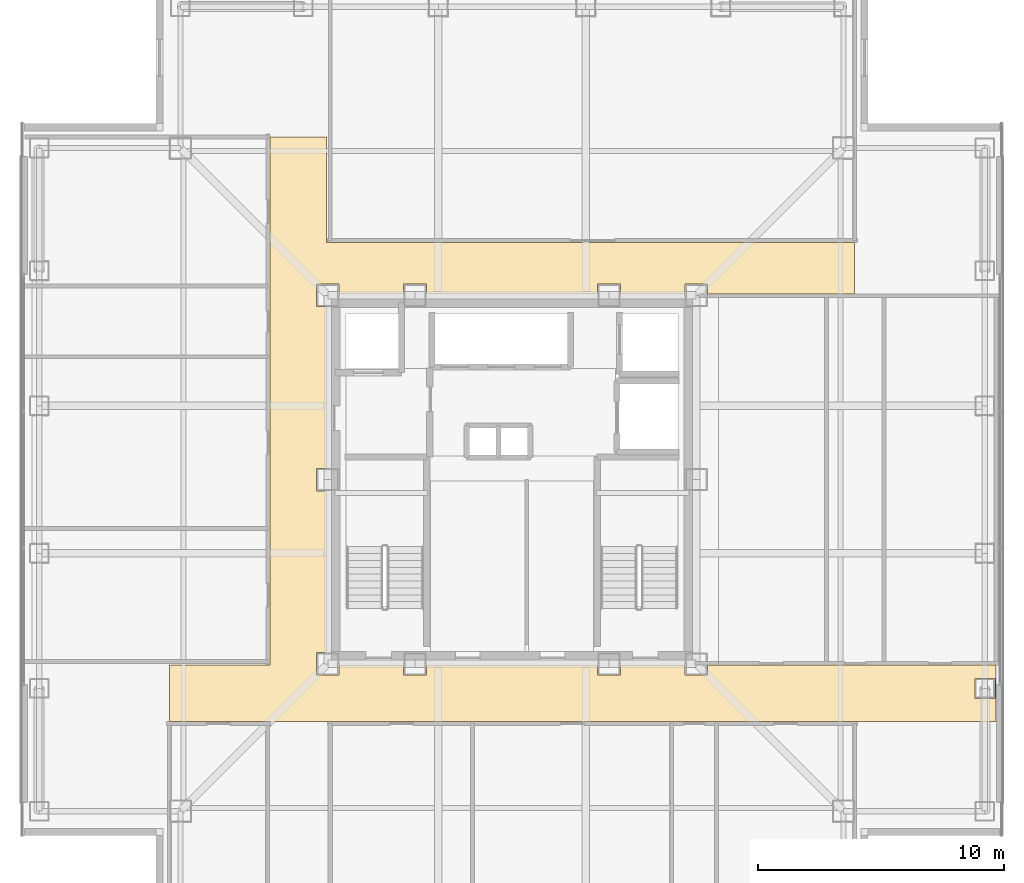
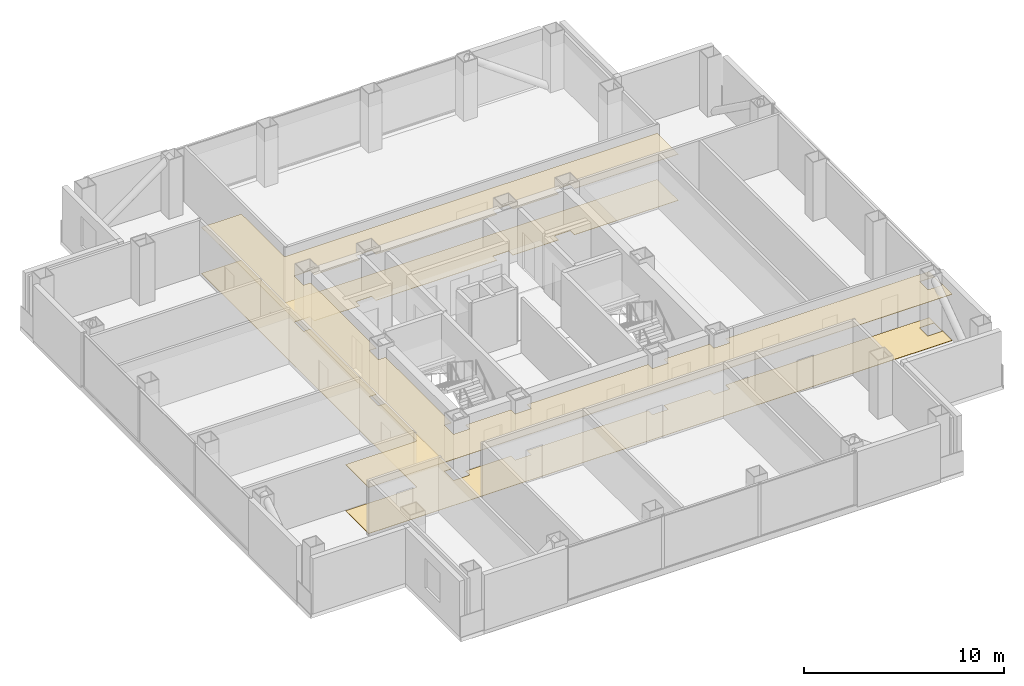
# One storey, part 15 of 17: 2 coverings.
"""IFC4 building model written with IfcOpenShell, lengths in metres."""

from ifc_helpers import new_model, si_unit, direction, frame, origin, place, context, subcontext, project, spatial, polyline, outline, extrude, material, layer, layer_set, type_object, element, save


model = new_model("IFC4")

# Units and contexts
model_context = context("Model", 3, precision=1e-05, world=origin(), true_north=direction((0.0, 1.0)))
body_context = subcontext(model_context, "Body", "Model", "MODEL_VIEW")
ifc_project = project(units=[si_unit("LENGTHUNIT", "METRE"), si_unit("AREAUNIT", "SQUARE_METRE"), si_unit("VOLUMEUNIT", "CUBIC_METRE"), si_unit("PLANEANGLEUNIT", "RADIAN"), si_unit("MASSUNIT", "GRAM", prefix="KILO")], contexts=[model_context])

# Site, building, storey
site_placement = place(None, origin())
site = spatial("IfcSite", under=ifc_project, at=site_placement, CompositionType="ELEMENT")
building_placement = place(site_placement, origin())
building = spatial("IfcBuilding", under=site, at=building_placement, Name="Trevonay Congress Spire", CompositionType="ELEMENT")
storey_placement = place(building_placement, frame((0.0, 0.0, 213.0)))
storey = spatial("IfcBuildingStorey", under=building, at=storey_placement, Name="L55", CompositionType="ELEMENT", Elevation=213.0)

# Coverings
ifc_material_1 = material(Name="Acoustic Mineral Fibre Board", Category="gypsum")
ifc_layer_1 = layer(ifc_material_1, 0.02490234375, Name="Acoustic Mineral Fibre Board")
ifc_layer_set_1 = layer_set([ifc_layer_1], Name="Acoustic Mineral Fibre Board")
covering_type_1 = type_object("IfcCoveringType", Name="COV-CEIL-ACOUSTIC", PredefinedType="CEILING", material=ifc_layer_set_1)
covering_1_placement = place(storey_placement, frame((0.0, 0.0, 2.81005859375)))
element("IfcCovering", 1, at=covering_1_placement, inside=storey, type_object=covering_type_1, Name="L55 Cruciform Boulevard Corridor acoustic suspended ceiling", PredefinedType="CEILING", context=body_context, shape_type="SweptSolid", body=[
    extrude(outline(polyline([(19.699951171875, -7.550048828125), (19.699951171875, -9.85009765625), (-13.949951171875, -9.85009765625), (-13.949951171875, -7.550048828125), (-9.85009765625, -7.550048828125), (-9.85009765625, 13.949951171875), (-7.550048828125, 13.949951171875), (-7.550048828125, 9.64990234375), (13.949951171875, 9.64990234375), (13.949951171875, 7.550048828125), (7.9599609375, 7.550048828125), (7.9599609375, 7.9599609375), (7.0400390625, 7.9599609375), (7.0400390625, 7.550048828125), (4.409912109375, 7.550048828125), (4.409912109375, 7.9599609375), (3.489990234375, 7.9599609375), (3.489990234375, 7.550048828125), (-3.489990234375, 7.550048828125), (-3.489990234375, 7.9599609375), (-4.409912109375, 7.9599609375), (-4.409912109375, 7.550048828125), (-7.0400390625, 7.550048828125), (-7.0400390625, 7.9599609375), (-7.9599609375, 7.9599609375), (-7.9599609375, 7.0400390625), (-7.550048828125, 7.0400390625), (-7.550048828125, 0.4599609375), (-7.9599609375, 0.4599609375), (-7.9599609375, -0.4599609375), (-7.550048828125, -0.4599609375), (-7.550048828125, -7.0400390625), (-7.9599609375, -7.0400390625), (-7.9599609375, -7.9599609375), (-7.0400390625, -7.9599609375), (-7.0400390625, -7.550048828125), (-4.409912109375, -7.550048828125), (-4.409912109375, -7.9599609375), (-3.489990234375, -7.9599609375), (-3.489990234375, -7.550048828125), (3.489990234375, -7.550048828125), (3.489990234375, -7.9599609375), (4.409912109375, -7.9599609375), (4.409912109375, -7.550048828125), (7.0400390625, -7.550048828125), (7.0400390625, -7.9599609375), (7.9599609375, -7.9599609375), (7.9599609375, -7.550048828125), (19.699951171875, -7.550048828125)]), holes=[polyline([(19.659912109375, -8.090087890625), (18.840087890625, -8.090087890625), (18.840087890625, -8.909912109375), (19.659912109375, -8.909912109375), (19.659912109375, -8.090087890625)])]), origin(), (0.0, 0.0, 1.0), 0.02490234375),
])
ifc_material_2 = material(Name="Polished Granite Floor Tile", Category="masonry")
ifc_layer_2 = layer(ifc_material_2, 0.02001953125, Name="Polished Granite Floor Tile")
ifc_layer_set_2 = layer_set([ifc_layer_2], Name="Polished Granite Floor Tile")
covering_type_2 = type_object("IfcCoveringType", Name="COV-FLOOR-STONE", PredefinedType="FLOORING", material=ifc_layer_set_2)
covering_2_placement = place(storey_placement, origin())
element("IfcCovering", 2, at=covering_2_placement, inside=storey, type_object=covering_type_2, Name="L55 Cruciform Boulevard Corridor floor finish", PredefinedType="FLOORING", context=body_context, shape_type="SweptSolid", body=[
    extrude(outline(polyline([(19.699951171875, -7.550048828125), (19.699951171875, -9.85009765625), (-13.949951171875, -9.85009765625), (-13.949951171875, -7.550048828125), (-9.85009765625, -7.550048828125), (-9.85009765625, 13.949951171875), (-7.550048828125, 13.949951171875), (-7.550048828125, 9.64990234375), (13.949951171875, 9.64990234375), (13.949951171875, 7.550048828125), (7.9599609375, 7.550048828125), (7.9599609375, 7.9599609375), (7.0400390625, 7.9599609375), (7.0400390625, 7.550048828125), (4.409912109375, 7.550048828125), (4.409912109375, 7.9599609375), (3.489990234375, 7.9599609375), (3.489990234375, 7.550048828125), (-3.489990234375, 7.550048828125), (-3.489990234375, 7.9599609375), (-4.409912109375, 7.9599609375), (-4.409912109375, 7.550048828125), (-7.0400390625, 7.550048828125), (-7.0400390625, 7.9599609375), (-7.9599609375, 7.9599609375), (-7.9599609375, 7.0400390625), (-7.550048828125, 7.0400390625), (-7.550048828125, 0.4599609375), (-7.9599609375, 0.4599609375), (-7.9599609375, -0.4599609375), (-7.550048828125, -0.4599609375), (-7.550048828125, -7.0400390625), (-7.9599609375, -7.0400390625), (-7.9599609375, -7.9599609375), (-7.0400390625, -7.9599609375), (-7.0400390625, -7.550048828125), (-4.409912109375, -7.550048828125), (-4.409912109375, -7.9599609375), (-3.489990234375, -7.9599609375), (-3.489990234375, -7.550048828125), (3.489990234375, -7.550048828125), (3.489990234375, -7.9599609375), (4.409912109375, -7.9599609375), (4.409912109375, -7.550048828125), (7.0400390625, -7.550048828125), (7.0400390625, -7.9599609375), (7.9599609375, -7.9599609375), (7.9599609375, -7.550048828125), (19.699951171875, -7.550048828125)]), holes=[polyline([(19.659912109375, -8.090087890625), (18.840087890625, -8.090087890625), (18.840087890625, -8.909912109375), (19.659912109375, -8.909912109375), (19.659912109375, -8.090087890625)])]), origin(), (0.0, 0.0, 1.0), 0.02001953125),
])

save(model, "model.ifc")
